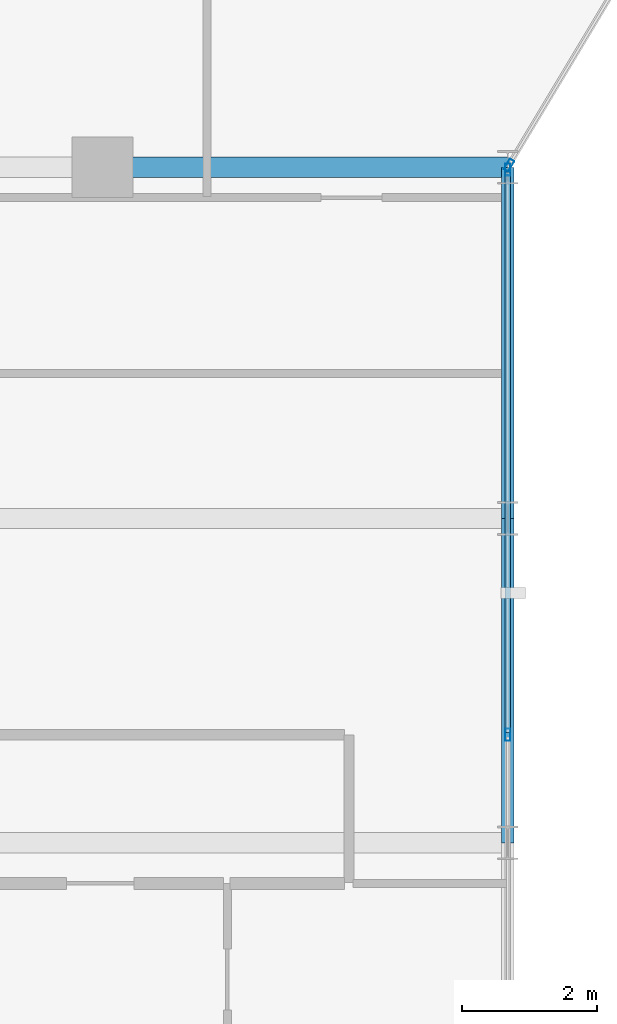
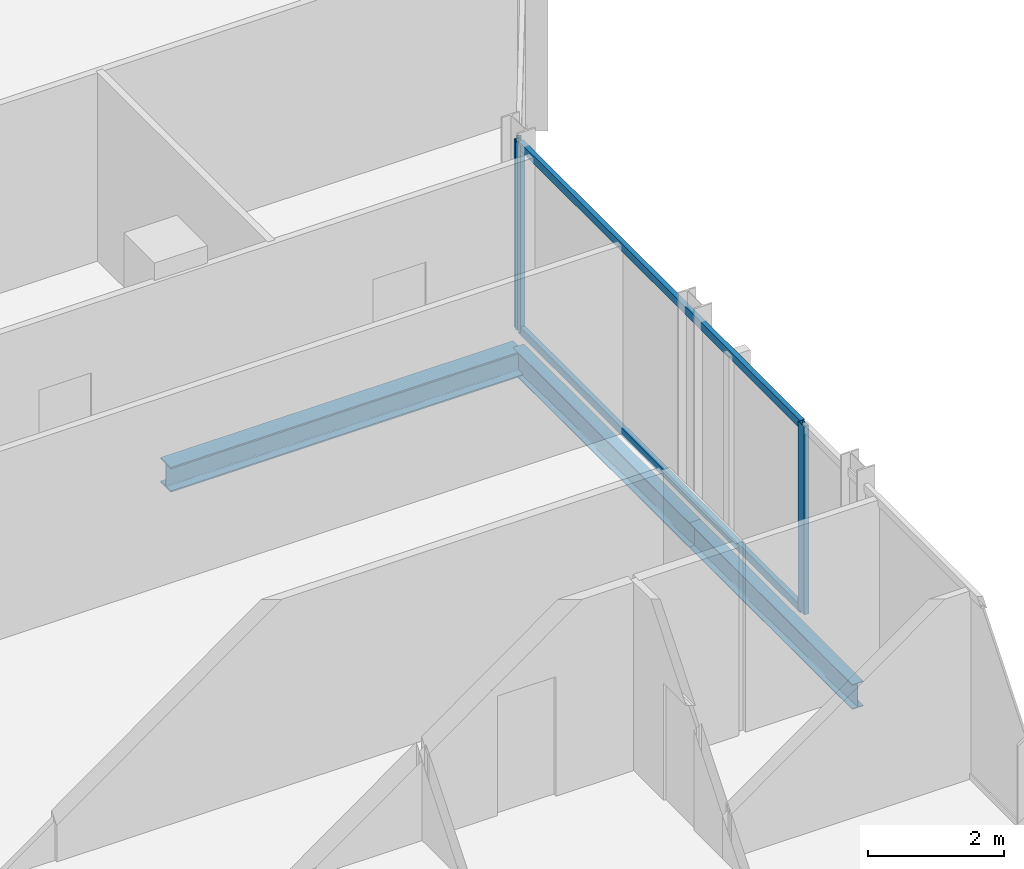
# One storey, part 13 of 31: 5 members, 3 beams, 2 elements without a shape of their own.
"""IFC4 building model written with IfcOpenShell, lengths in metres."""

from ifc_helpers import new_model, si_unit, direction, frame, origin, origin_2d, place, context, subcontext, project, spatial, hollow_rectangle, i_section, extrude, material, layer, layer_set, material_profile, profile_set, type_object, element, aggregate, save


model = new_model("IFC4")

# Units and contexts
model_context = context("Model", 3, precision=1e-05, world=origin(), true_north=direction((0.0, 1.0)))
body_context = subcontext(model_context, "Body", "Model", "MODEL_VIEW")
ifc_project = project(units=[si_unit("LENGTHUNIT", "METRE"), si_unit("AREAUNIT", "SQUARE_METRE"), si_unit("VOLUMEUNIT", "CUBIC_METRE"), si_unit("PLANEANGLEUNIT", "RADIAN"), si_unit("MASSUNIT", "GRAM", prefix="KILO")], contexts=[model_context])

# Site, building, storey
site_placement = place(None, origin())
site = spatial("IfcSite", under=ifc_project, at=site_placement, CompositionType="ELEMENT")
building_placement = place(site_placement, origin())
building = spatial("IfcBuilding", under=site, at=building_placement, Name="Keshet Zoharim Tower", CompositionType="ELEMENT")
storey_placement = place(building_placement, frame((0.0, 0.0, 133.5)))
storey = spatial("IfcBuildingStorey", under=building, at=storey_placement, Name="L32", CompositionType="ELEMENT", Elevation=133.5)

# Beams
ifc_material_1 = material(Name="Steel S355", Category="steel")
ifc_material_profile_1 = material_profile(ifc_material_1, i_section(OverallWidth=0.18994140625, OverallDepth=0.449951171875, WebThickness=0.009521484375, FlangeThickness=0.0146484375, FilletRadius=0.02099609375, at=origin_2d()), Name="IPE450")
ifc_profile_set_1 = profile_set([ifc_material_profile_1], Name="Steel S355")
beam_type_1 = type_object("IfcBeamType", Name="BM-PRI-IP450", PredefinedType="BEAM", material=ifc_profile_set_1)
beam_1_placement = place(storey_placement, frame((57.0, 17.89990234375, -0.5400390625), z_axis=(0.0, 1.0, 0.0), x_axis=(-1.0, 0.0, 0.0)))
element("IfcBeam", 1, at=beam_1_placement, inside=storey, type_object=beam_type_1, Name="L32 Primary Girder Y-015", PredefinedType="BEAM", context=body_context, shape_type="SweptSolid", body=[
    extrude(i_section(OverallWidth=0.18994140625, OverallDepth=0.449951171875, WebThickness=0.009521484375, FlangeThickness=0.0146484375, FilletRadius=0.02099609375, at=origin_2d()), origin(), (0.0, 0.0, 1.0), 4.800048828125),
])
beam_2_placement = place(storey_placement, frame((57.0, 22.699951171875, -0.5400390625), z_axis=(0.0, 1.0, 0.0), x_axis=(-1.0, 0.0, 0.0)))
element("IfcBeam", 2, at=beam_2_placement, inside=storey, type_object=beam_type_1, Name="L32 Primary Girder Y-016", PredefinedType="BEAM", context=body_context, shape_type="SweptSolid", body=[
    extrude(i_section(OverallWidth=0.18994140625, OverallDepth=0.449951171875, WebThickness=0.009521484375, FlangeThickness=0.0146484375, FilletRadius=0.02099609375, at=origin_2d()), origin(), (0.0, 0.0, 1.0), 5.199951171875),
])
ifc_material_profile_2 = material_profile(ifc_material_1, i_section(OverallWidth=0.300048828125, OverallDepth=0.449951171875, WebThickness=0.013916015625, FlangeThickness=0.02587890625, FilletRadius=0.027099609375, at=origin_2d()), Name="HEB450")
ifc_profile_set_2 = profile_set([ifc_material_profile_2], Name="Steel S355")
beam_type_2 = type_object("IfcBeamType", Name="BM-WEB-HB450", PredefinedType="BEAM", material=ifc_profile_set_2)
beam_3_placement = place(storey_placement, frame((51.0, 27.89990234375, -0.5400390625), z_axis=(1.0, 0.0, 0.0), x_axis=(0.0, 1.0, 0.0)))
element("IfcBeam", 3, at=beam_3_placement, inside=storey, type_object=beam_type_2, Name="L32 Primary Girder X-017", PredefinedType="BEAM", context=body_context, shape_type="SweptSolid", body=[
    extrude(i_section(OverallWidth=0.300048828125, OverallDepth=0.449951171875, WebThickness=0.013916015625, FlangeThickness=0.02587890625, FilletRadius=0.027099609375, at=origin_2d()), origin(), (0.0, 0.0, 1.0), 6.0),
])

# Curtain wall, member
ifc_material_2 = material(Name="Aluminium 6063-T6", Category="aluminium")
ifc_layer = layer(ifc_material_2, 0.159912109375)
ifc_layer_set = layer_set([ifc_layer], Name="Aluminium 6063-T6")
curtain_wall_type = type_object("IfcCurtainWallType", Name="CW-SYS-03", PredefinedType="NOTDEFINED", material=ifc_layer_set)
curtain_wall_1_placement = place(storey_placement, origin())
curtain_wall_1 = element("IfcCurtainWall", 4, at=curtain_wall_1_placement, inside=storey, type_object=curtain_wall_type, Name="L32 Unitised Curtain Wall 18", PredefinedType="NOTDEFINED")
ifc_material_profile_3 = material_profile(ifc_material_2, hollow_rectangle(XDim=0.080078125, YDim=0.179931640625, WallThickness=0.00439453125, at=origin_2d()), Name="MUL-80x180")
ifc_profile_set_3 = profile_set([ifc_material_profile_3], Name="Aluminium 6063-T6")
member_type_1 = type_object("IfcMemberType", Name="CWM-M18", PredefinedType="MULLION", material=ifc_profile_set_3)
member_1_placement = place(storey_placement, frame((57.01806640625, 27.929931640625, 0.0), z_axis=(0.0, 0.0, 1.0), x_axis=(0.857501477862, -0.514481501576, 0.0)))
member_1 = element("IfcMember", 5, at=member_1_placement, type_object=member_type_1, Name="CW-03 mullion 2", PredefinedType="MULLION", context=body_context, shape_type="SweptSolid", body=[
    extrude(hollow_rectangle(XDim=0.080078125, YDim=0.179931640625, WallThickness=0.00439453125, at=origin_2d()), origin(), (0.0, 0.0, 1.0), 3.385009765625),
])
aggregate(curtain_wall_1, [member_1])

# Curtain wall, members
curtain_wall_2_placement = place(storey_placement, origin())
curtain_wall_2 = element("IfcCurtainWall", 6, at=curtain_wall_2_placement, inside=storey, type_object=curtain_wall_type, Name="L32 Unitised Curtain Wall 19", PredefinedType="NOTDEFINED")
member_2_placement = place(storey_placement, frame((57.0, 27.864990234375, 0.0), z_axis=(0.0, 0.0, 1.0), x_axis=(1.0, 0.0, 0.0)))
member_2 = element("IfcMember", 7, at=member_2_placement, type_object=member_type_1, Name="CW-03 mullion 1", PredefinedType="MULLION", context=body_context, shape_type="SweptSolid", body=[
    extrude(hollow_rectangle(XDim=0.080078125, YDim=0.179931640625, WallThickness=0.00439453125, at=origin_2d()), origin(), (0.0, 0.0, 1.0), 3.385009765625),
])
member_3_placement = place(storey_placement, frame((57.0, 19.5, 0.0), z_axis=(0.0, 0.0, 1.0), x_axis=(1.0, 0.0, 0.0)))
member_3 = element("IfcMember", 8, at=member_3_placement, type_object=member_type_1, Name="CW-03 mullion 2", PredefinedType="MULLION", context=body_context, shape_type="SweptSolid", body=[
    extrude(hollow_rectangle(XDim=0.080078125, YDim=0.179931640625, WallThickness=0.00439453125, at=origin_2d()), origin(), (0.0, 0.0, 1.0), 3.385009765625),
])
ifc_material_profile_4 = material_profile(ifc_material_2, hollow_rectangle(XDim=0.080078125, YDim=0.139892578125, WallThickness=0.00390625, at=origin_2d()), Name="TRN-80x140")
ifc_profile_set_4 = profile_set([ifc_material_profile_4], Name="Aluminium 6063-T6")
member_type_2 = type_object("IfcMemberType", Name="CWT-T14", PredefinedType="USERDEFINED", material=ifc_profile_set_4)
member_4_placement = place(storey_placement, frame((57.0, 27.830078125, 0.034912109375), z_axis=(0.0, -1.0, 0.0), x_axis=(1.0, 0.0, 0.0)))
member_4 = element("IfcMember", 9, at=member_4_placement, type_object=member_type_2, Name="CW-03 transom 1.1", ObjectType="TRANSOM", PredefinedType="USERDEFINED", context=body_context, shape_type="SweptSolid", body=[
    extrude(hollow_rectangle(XDim=0.080078125, YDim=0.139892578125, WallThickness=0.00390625, at=origin_2d()), origin(), (0.0, 0.0, 1.0), 8.295166015625),
])
member_5_placement = place(storey_placement, frame((57.0, 27.830078125, 3.35009765625), z_axis=(0.0, -1.0, 0.0), x_axis=(1.0, 0.0, 0.0)))
member_5 = element("IfcMember", 10, at=member_5_placement, type_object=member_type_2, Name="CW-03 transom 1.2", ObjectType="TRANSOM", PredefinedType="USERDEFINED", context=body_context, shape_type="SweptSolid", body=[
    extrude(hollow_rectangle(XDim=0.080078125, YDim=0.139892578125, WallThickness=0.00390625, at=origin_2d()), origin(), (0.0, 0.0, 1.0), 8.295166015625),
])
aggregate(curtain_wall_2, [member_2, member_3, member_4, member_5])

save(model, "model.ifc")
